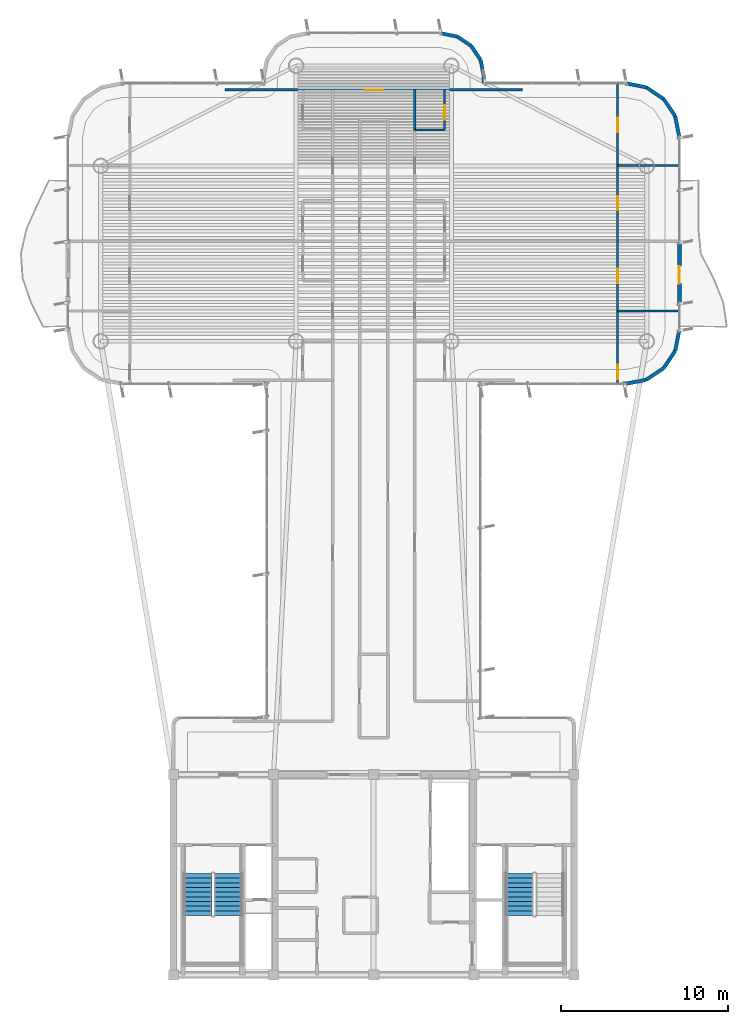
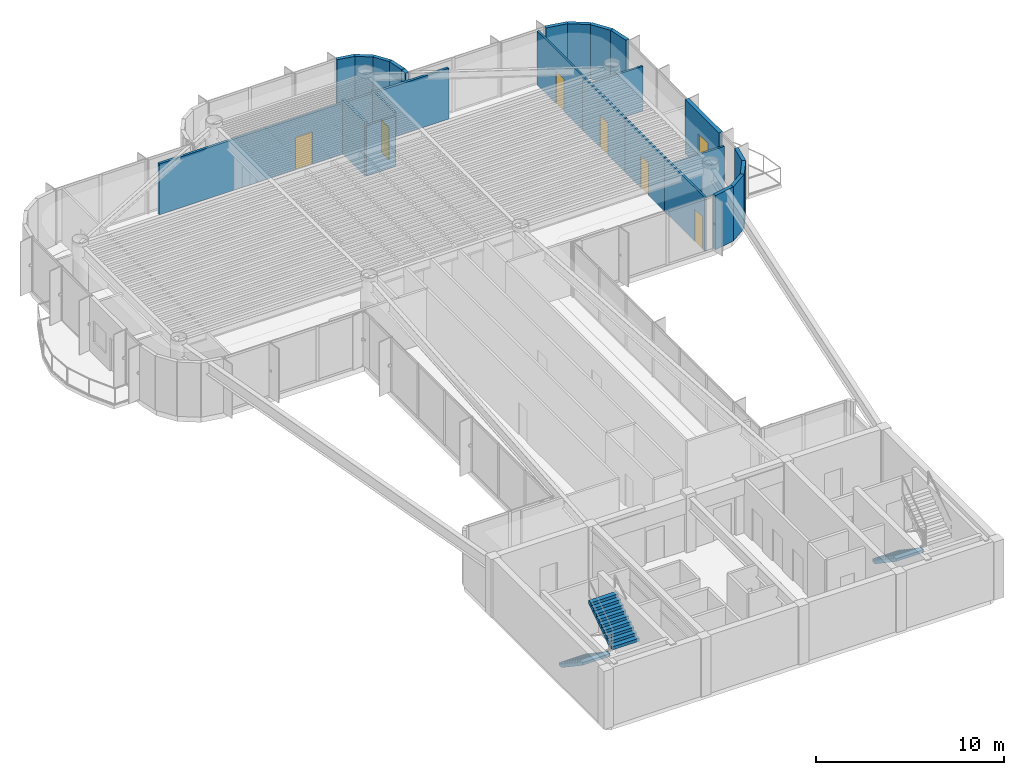
# One storey, part 13 of 16: 24 walls, 7 doors, 3 stair flights, 7 openings, 2 elements without a shape of their own.
"""IFC4 building model written with IfcOpenShell, lengths in metres."""

from ifc_helpers import new_model, si_unit, direction, frame, frame_2d, origin, origin_2d, place, context, subcontext, project, spatial, polyline, rectangle, outline, extrude, source, transform, mapped, material, layer, layer_set, type_object, element, fill, aggregate, save


model = new_model("IFC4")

# Units and contexts
model_context = context("Model", 3, precision=1e-05, world=origin(), true_north=direction((0.0, 1.0)))
body_context = subcontext(model_context, "Body", "Model", "MODEL_VIEW")
ifc_project = project(units=[si_unit("LENGTHUNIT", "METRE"), si_unit("AREAUNIT", "SQUARE_METRE"), si_unit("VOLUMEUNIT", "CUBIC_METRE"), si_unit("PLANEANGLEUNIT", "RADIAN"), si_unit("MASSUNIT", "GRAM", prefix="KILO")], contexts=[model_context])

# Site, building, storey
site_placement = place(None, origin())
site = spatial("IfcSite", under=ifc_project, at=site_placement, CompositionType="ELEMENT")
building_placement = place(site_placement, origin())
building = spatial("IfcBuilding", under=site, at=building_placement, Name="Brelvock Crest Care Tower", CompositionType="ELEMENT")
storey_placement = place(building_placement, frame((0.0, 0.0, 223.02001953125)))
storey = spatial("IfcBuildingStorey", under=building, at=storey_placement, Name="L56", CompositionType="ELEMENT", Elevation=223.02001953125)

# Wall, opening, door
ifc_material_1 = material(Name="Precast concrete N40 (40 MPa)", Category="concrete")
ifc_layer_1 = layer(ifc_material_1, 0.239990234375, Name="WL-EX1")
ifc_layer_set_1 = layer_set([ifc_layer_1], Name="Precast concrete N40 (40 MPa)")
wall_type_1 = type_object("IfcWallType", Name="WL-EX1", PredefinedType="SOLIDWALL", material=ifc_layer_set_1)
wall_1_placement = place(storey_placement, frame((54.300048828125, 49.85009765625, 0.0), z_axis=(0.0, 0.0, 1.0), x_axis=(0.0, -1.0, 0.0)))
wall_1 = element("IfcWall", 1, at=wall_1_placement, inside=storey, type_object=wall_type_1, Name="L56 Exterior Spandrel Wall WL-BAL-L56-E", PredefinedType="SOLIDWALL", context=body_context, shape_type="SweptSolid", body=[
    extrude(rectangle(XDim=3.60009765625, YDim=0.239990234375, at=frame_2d((1.800048828125, 0.0))), origin(), (0.0, 0.0, 1.0), 3.530029296875),
])
opening_1_placement = place(wall_1_placement, frame((1.39990234375, 0.0, 0.0)))
opening_1 = element("IfcOpeningElement", 2, at=opening_1_placement, cuts=wall_1, Name="Opening BD-1", PredefinedType="OPENING", context=body_context, shape_type="SweptSolid", body=[
    extrude(rectangle(XDim=1.050048828125, YDim=2.14990234375, at=origin_2d()), frame((0.52490234375, 0.1298828125, 1.074951171875), z_axis=(0.0, -1.0, 0.0), x_axis=(1.0, 0.0, 0.0)), (0.0, 0.0, 1.0), 0.260009765625),
])
ifc_material_2 = material(Name="Dark Glass Double Glazed Low-E", Category="glass")
door_type_1 = type_object("IfcDoorType", Name="DR-BAL1", OperationType="NOTDEFINED", PredefinedType="DOOR", material=ifc_material_2)
shared_shape_1 = source(origin(), body_context, "Body", "SweptSolid", [
    extrude(rectangle(XDim=1.050048828125, YDim=2.14990234375, at=origin_2d()), frame((0.52490234375, 0.02490234375, 1.074951171875), z_axis=(0.0, -1.0, 0.0), x_axis=(1.0, 0.0, 0.0)), (0.0, 0.0, 1.0), 0.050048828125),
])
door_1_placement = place(opening_1_placement, origin())
door_1 = element("IfcDoor", 3, at=door_1_placement, inside=storey, type_object=door_type_1, Name="L56 E Wave Balcony Glazed Door", OperationType="SINGLE_SWING_RIGHT", OverallHeight=2.14990234375, OverallWidth=1.050048828125, PredefinedType="DOOR", context=body_context, shape_type="MappedRepresentation", body=[
    mapped(shared_shape_1, transform((0.0, 0.0, 0.0), x_axis=(1.0, 0.0, 0.0), y_axis=(0.0, 1.0, 0.0), z_axis=(0.0, 0.0, 1.0), scale=1.0)),
])
fill(opening_1, door_1)

# Walls
ifc_layer_2 = layer(ifc_material_1, 0.215087890625, Name="WL-EX2")
ifc_layer_set_2 = layer_set([ifc_layer_2], Name="Precast concrete N40 (40 MPa)")
wall_type_2 = type_object("IfcWallType", Name="WL-EX2", PredefinedType="SOLIDWALL", material=ifc_layer_set_2)
wall_2_placement = place(storey_placement, frame((40.0, 62.39990234375, 0.0), z_axis=(0.0, 0.0, 1.0), x_axis=(0.980820570666, -0.194912821943, 0.0)))
element("IfcWall", 4, at=wall_2_placement, inside=storey, type_object=wall_type_2, Name="L56 Rounded Corner Wall 29", PredefinedType="SOLIDWALL", context=body_context, shape_type="SweptSolid", body=[
    extrude(rectangle(XDim=1.0146484375, YDim=0.215087890625, at=frame_2d((0.50732421875, 0.0))), origin(), (0.0, 0.0, 1.0), 3.530029296875),
])
wall_3_placement = place(storey_placement, frame((40.9951171875, 62.2021484375, 0.0), z_axis=(0.0, 0.0, 1.0), x_axis=(0.831346067305, -0.555755086685, 0.0)))
element("IfcWall", 5, at=wall_3_placement, inside=storey, type_object=wall_type_2, Name="L56 Rounded Corner Wall 30", PredefinedType="SOLIDWALL", context=body_context, shape_type="SweptSolid", body=[
    extrude(rectangle(XDim=1.014404296875, YDim=0.215087890625, at=frame_2d((0.50732421875, 0.0))), origin(), (0.0, 0.0, 1.0), 3.530029296875),
])
wall_4_placement = place(storey_placement, frame((41.83837890625, 61.638427734375, 0.0), z_axis=(0.0, 0.0, 1.0), x_axis=(0.555643898837, -0.831420385657, 0.0)))
element("IfcWall", 6, at=wall_4_placement, inside=storey, type_object=wall_type_2, Name="L56 Rounded Corner Wall 31", PredefinedType="SOLIDWALL", context=body_context, shape_type="SweptSolid", body=[
    extrude(rectangle(XDim=1.0146484375, YDim=0.215087890625, at=frame_2d((0.50732421875, 0.0))), origin(), (0.0, 0.0, 1.0), 3.530029296875),
])
wall_5_placement = place(storey_placement, frame((42.402099609375, 60.794921875, 0.0), z_axis=(0.0, 0.0, 1.0), x_axis=(0.195190360752, -0.980765376158, 0.0)))
element("IfcWall", 7, at=wall_5_placement, inside=storey, type_object=wall_type_2, Name="L56 Rounded Corner Wall 32", PredefinedType="SOLIDWALL", context=body_context, shape_type="SweptSolid", body=[
    extrude(rectangle(XDim=1.014404296875, YDim=0.215087890625, at=frame_2d((0.50732421875, 0.0))), origin(), (0.0, 0.0, 1.0), 3.530029296875),
])
wall_6_placement = place(storey_placement, frame((42.60009765625, 59.800048828125, 0.0), z_axis=(0.0, 0.0, 1.0), x_axis=(0.0, -1.0, 0.0)))
element("IfcWall", 8, at=wall_6_placement, inside=storey, type_object=wall_type_2, Name="L56 Rounded Corner Wall 33", PredefinedType="SOLIDWALL", context=body_context, shape_type="SweptSolid", body=[
    extrude(rectangle(XDim=0.400146484375, YDim=0.215087890625, at=frame_2d((0.2001953125, 0.0))), origin(), (0.0, 0.0, 1.0), 3.530029296875),
])
for number, where, z_axis, x_axis, name in (
    (9, (51.10009765625, 59.39990234375, 0.0), (0.0, 0.0, 1.0), (0.980813122964, -0.194950295773, 0.0), "L56 Rounded Corner Wall 35"),
    (10, (52.32470703125, 59.156494140625, 0.0), (0.0, 0.0, 1.0), (0.831387912822, -0.555692485475, 0.0), "L56 Rounded Corner Wall 36"),
    (11, (53.36279296875, 58.462646484375, 0.0), (0.0, 0.0, 1.0), (0.555557312883, -0.831478245117, 0.0), "L56 Rounded Corner Wall 37"),
    (12, (54.056396484375, 57.424560546875, 0.0), (0.0, 0.0, 1.0), (0.195138390419, -0.980775717779, 0.0), "L56 Rounded Corner Wall 38"),
    (13, (54.300048828125, 44.60009765625, 0.0), (0.0, 0.0, 1.0), (-0.195138390419, -0.980775717779, 0.0), "L56 Rounded Corner Wall 40"),
    (14, (54.056396484375, 43.37548828125, 0.0), (0.0, 0.0, 1.0), (-0.555557312883, -0.831478245117, 0.0), "L56 Rounded Corner Wall 41"),
    (15, (53.36279296875, 42.33740234375, 0.0), (0.0, 0.0, 1.0), (-0.831387912822, -0.555692485475, 0.0), "L56 Rounded Corner Wall 42"),
    (16, (52.32470703125, 41.6435546875, 0.0), (0.0, 0.0, 1.0), (-0.980775717779, -0.195138390419, 0.0), "L56 Rounded Corner Wall 43"),
):
    element("IfcWall", number, at=place(storey_placement, frame(where, z_axis=z_axis, x_axis=x_axis)), inside=storey, type_object=wall_type_2, Name=name, PredefinedType="SOLIDWALL", context=body_context, shape_type="SweptSolid", body=[
        extrude(rectangle(XDim=1.24853515625, YDim=0.215087890625, at=frame_2d((0.624267578125, 0.0))), origin(), (0.0, 0.0, 1.0), 3.530029296875),
    ])

# Wall, opening, door
ifc_material_3 = material(Name="Masonry Blockwork Acoustic Partition", Category="masonry")
ifc_layer_3 = layer(ifc_material_3, 0.14990234375, Name="WL-INT1")
ifc_layer_set_3 = layer_set([ifc_layer_3], Name="Masonry Blockwork Acoustic Partition")
wall_type_3 = type_object("IfcWallType", Name="WL-INT1", PredefinedType="PARTITIONING", material=ifc_layer_set_3)
wall_7_placement = place(storey_placement, frame((27.10009765625, 59.0, 0.0), z_axis=(0.0, 0.0, 1.0), x_axis=(1.0, 0.0, 0.0)))
wall_7 = element("IfcWall", 17, at=wall_7_placement, inside=storey, type_object=wall_type_3, Name="L56 Interior Wall WL-RM-L56-NHUB", PredefinedType="PARTITIONING", context=body_context, shape_type="SweptSolid", body=[
    extrude(rectangle(XDim=17.7998046875, YDim=0.14990234375, at=frame_2d((8.89990234375, 0.0))), origin(), (0.0, 0.0, 1.0), 3.307861328125),
])
opening_2_placement = place(wall_7_placement, frame((8.375, 0.0, 0.0)))
opening_2 = element("IfcOpeningElement", 18, at=opening_2_placement, cuts=wall_7, Name="Opening CLD-1", PredefinedType="OPENING", context=body_context, shape_type="SweptSolid", body=[
    extrude(rectangle(XDim=1.050048828125, YDim=2.10009765625, at=origin_2d()), frame((0.52490234375, 0.0849609375, 1.050048828125), z_axis=(0.0, -1.0, 0.0), x_axis=(1.0, 0.0, 0.0)), (0.0, 0.0, 1.0), 0.169921875),
])
ifc_material_4 = material(Name="Engineered Hardwood Timber", Category="wood")
door_type_2 = type_object("IfcDoorType", Name="DR-CLN1", OperationType="NOTDEFINED", PredefinedType="DOOR", material=ifc_material_4)
shared_shape_2 = source(origin(), body_context, "Body", "SweptSolid", [
    extrude(rectangle(XDim=1.050048828125, YDim=2.10009765625, at=origin_2d()), frame((0.52490234375, 0.02490234375, 1.050048828125), z_axis=(0.0, -1.0, 0.0), x_axis=(1.0, 0.0, 0.0)), (0.0, 0.0, 1.0), 0.050048828125),
])
door_2_placement = place(opening_2_placement, origin())
door_2 = element("IfcDoor", 19, at=door_2_placement, inside=storey, type_object=door_type_2, Name="L56 North Crest Conservatory Lounge Door NHUB", OperationType="SINGLE_SWING_LEFT", OverallHeight=2.10009765625, OverallWidth=1.050048828125, PredefinedType="DOOR", context=body_context, shape_type="MappedRepresentation", body=[
    mapped(shared_shape_2, transform((0.0, 0.0, 0.0), x_axis=(1.0, 0.0, 0.0), y_axis=(0.0, 1.0, 0.0), z_axis=(0.0, 0.0, 1.0), scale=1.0)),
])
fill(opening_2, door_2)

# Walls
wall_8_placement = place(storey_placement, frame((38.449951171875, 56.60009765625, 0.0), z_axis=(0.0, 0.0, 1.0), x_axis=(0.0, 1.0, 0.0)))
element("IfcWall", 20, at=wall_8_placement, inside=storey, type_object=wall_type_3, Name="L56 Interior Wall WL-UCK-L56-EF2", PredefinedType="PARTITIONING", context=body_context, shape_type="SweptSolid", body=[
    extrude(rectangle(XDim=2.39990234375, YDim=0.14990234375, at=frame_2d((1.199951171875, 0.0))), origin(), (0.0, 0.0, 1.0), 3.5),
])
ifc_material_5 = material(Name="Gypsum Plasterboard Partition", Category="gypsum")
ifc_layer_4 = layer(ifc_material_5, 0.1201171875, Name="WL-INT2")
ifc_layer_set_4 = layer_set([ifc_layer_4], Name="Gypsum Plasterboard Partition")
wall_type_4 = type_object("IfcWallType", Name="WL-INT2", PredefinedType="PARTITIONING", material=ifc_layer_set_4)
wall_9_placement = place(storey_placement, frame((50.610107421875, 45.77587890625, 0.0), z_axis=(0.0, 0.0, 1.0), x_axis=(1.0, 0.0, 0.0)))
element("IfcWall", 21, at=wall_9_placement, inside=storey, type_object=wall_type_4, Name="L56 Interior Wall WL-UBSP-L56-EF1", PredefinedType="PARTITIONING", context=body_context, shape_type="SweptSolid", body=[
    extrude(rectangle(XDim=3.60986328125, YDim=0.1201171875, at=frame_2d((1.804931640625, 0.0))), origin(), (0.0, 0.0, 1.0), 2.98193359375),
])
wall_10_placement = place(storey_placement, frame((50.610107421875, 54.47607421875, 0.0), z_axis=(0.0, 0.0, 1.0), x_axis=(1.0, 0.0, 0.0)))
element("IfcWall", 22, at=wall_10_placement, inside=storey, type_object=wall_type_4, Name="L56 Interior Wall WL-UBSP-L56-EF2", PredefinedType="PARTITIONING", context=body_context, shape_type="SweptSolid", body=[
    extrude(rectangle(XDim=3.60986328125, YDim=0.1201171875, at=frame_2d((1.804931640625, 0.0))), origin(), (0.0, 0.0, 1.0), 2.903076171875),
])
wall_11_placement = place(storey_placement, frame((38.449951171875, 56.60009765625, 0.0), z_axis=(0.0, 0.0, 1.0), x_axis=(1.0, 0.0, 0.0)))
element("IfcWall", 23, at=wall_11_placement, inside=storey, type_object=wall_type_4, Name="L56 Interior Wall WL-UKIT2-L56-EF2", PredefinedType="PARTITIONING", context=body_context, shape_type="SweptSolid", body=[
    extrude(rectangle(XDim=1.800048828125, YDim=0.1201171875, at=frame_2d((0.89990234375, 0.0))), origin(), (0.0, 0.0, 1.0), 3.259033203125),
])

# Wall, opening, door
wall_12_placement = place(storey_placement, frame((40.25, 56.60009765625, 0.0), z_axis=(0.0, 0.0, 1.0), x_axis=(0.0, 1.0, 0.0)))
wall_12 = element("IfcWall", 24, at=wall_12_placement, inside=storey, type_object=wall_type_4, Name="L56 Interior Wall WL-UKIT1-L56-EF2", PredefinedType="PARTITIONING", context=body_context, shape_type="SweptSolid", body=[
    extrude(rectangle(XDim=2.39990234375, YDim=0.1201171875, at=frame_2d((1.199951171875, 0.0))), origin(), (0.0, 0.0, 1.0), 3.5),
])
opening_3_placement = place(wall_12_placement, frame((0.6201171875, 0.0, 0.0)))
opening_3 = element("IfcOpeningElement", 25, at=opening_3_placement, cuts=wall_12, Name="Opening ID-1", PredefinedType="OPENING", context=body_context, shape_type="SweptSolid", body=[
    extrude(rectangle(XDim=0.860107421875, YDim=2.10009765625, at=origin_2d()), frame((0.43017578125, 0.070068359375, 1.050048828125), z_axis=(0.0, -1.0, 0.0), x_axis=(1.0, 0.0, 0.0)), (0.0, 0.0, 1.0), 0.14013671875),
])
door_type_3 = type_object("IfcDoorType", Name="DR-INT1", OperationType="NOTDEFINED", PredefinedType="DOOR", material=ifc_material_4)
shared_shape_3 = source(origin(), body_context, "Body", "SweptSolid", [
    extrude(rectangle(XDim=0.860107421875, YDim=2.10009765625, at=origin_2d()), frame((0.43017578125, 0.02490234375, 1.050048828125), z_axis=(0.0, -1.0, 0.0), x_axis=(1.0, 0.0, 0.0)), (0.0, 0.0, 1.0), 0.050048828125),
])
door_3_placement = place(opening_3_placement, origin())
door_3 = element("IfcDoor", 26, at=door_3_placement, inside=storey, type_object=door_type_3, Name="L56 Kitchen Door EF2", OperationType="SINGLE_SWING_RIGHT", OverallHeight=2.10009765625, OverallWidth=0.860107421875, PredefinedType="DOOR", context=body_context, shape_type="MappedRepresentation", body=[
    mapped(shared_shape_3, transform((0.0, 0.0, 0.0), x_axis=(1.0, 0.0, 0.0), y_axis=(0.0, 1.0, 0.0), z_axis=(0.0, 0.0, 1.0), scale=1.0)),
])
fill(opening_3, door_3)

wall_13_placement = place(storey_placement, frame((50.610107421875, 41.47998046875, 0.0), z_axis=(0.0, 0.0, 1.0), x_axis=(0.0, 1.0, 0.0)))
wall_13 = element("IfcWall", 27, at=wall_13_placement, inside=storey, type_object=wall_type_4, Name="L56 Interior Wall WL-UBD1-L56-EF1", PredefinedType="PARTITIONING", context=body_context, shape_type="SweptSolid", body=[
    extrude(rectangle(XDim=4.2958984375, YDim=0.1201171875, at=frame_2d((2.14794921875, 0.0))), origin(), (0.0, 0.0, 1.0), 3.5),
])
opening_4_placement = place(wall_13_placement, frame((0.197998046875, 0.0, 0.0)))
opening_4 = element("IfcOpeningElement", 28, at=opening_4_placement, cuts=wall_13, Name="Opening ID-1", PredefinedType="OPENING", context=body_context, shape_type="SweptSolid", body=[
    extrude(rectangle(XDim=0.860107421875, YDim=2.10009765625, at=origin_2d()), frame((0.43017578125, 0.070068359375, 1.050048828125), z_axis=(0.0, -1.0, 0.0), x_axis=(1.0, 0.0, 0.0)), (0.0, 0.0, 1.0), 0.14013671875),
])
door_4_placement = place(opening_4_placement, origin())
door_4 = element("IfcDoor", 29, at=door_4_placement, inside=storey, type_object=door_type_3, Name="L56 Primary Bedroom Door EF1", OperationType="SINGLE_SWING_RIGHT", OverallHeight=2.10009765625, OverallWidth=0.860107421875, PredefinedType="DOOR", context=body_context, shape_type="MappedRepresentation", body=[
    mapped(shared_shape_3, transform((0.0, 0.0, 0.0), x_axis=(1.0, 0.0, 0.0), y_axis=(0.0, 1.0, 0.0), z_axis=(0.0, 0.0, 1.0), scale=1.0)),
])
fill(opening_4, door_4)

wall_14_placement = place(storey_placement, frame((50.610107421875, 45.77587890625, 0.0), z_axis=(0.0, 0.0, 1.0), x_axis=(0.0, 1.0, 0.0)))
wall_14 = element("IfcWall", 30, at=wall_14_placement, inside=storey, type_object=wall_type_4, Name="L56 Interior Wall WL-UBD2-L56-EF1", PredefinedType="PARTITIONING", context=body_context, shape_type="SweptSolid", body=[
    extrude(rectangle(XDim=4.176025390625, YDim=0.1201171875, at=frame_2d((2.087890625, 0.0))), origin(), (0.0, 0.0, 1.0), 3.5),
])
opening_5_placement = place(wall_14_placement, frame((1.657958984375, 0.0, 0.0)))
opening_5 = element("IfcOpeningElement", 31, at=opening_5_placement, cuts=wall_14, Name="Opening ID-1", PredefinedType="OPENING", context=body_context, shape_type="SweptSolid", body=[
    extrude(rectangle(XDim=0.860107421875, YDim=2.10009765625, at=origin_2d()), frame((0.43017578125, 0.070068359375, 1.050048828125), z_axis=(0.0, -1.0, 0.0), x_axis=(1.0, 0.0, 0.0)), (0.0, 0.0, 1.0), 0.14013671875),
])
door_5_placement = place(opening_5_placement, origin())
door_5 = element("IfcDoor", 32, at=door_5_placement, inside=storey, type_object=door_type_3, Name="L56 Second Room Door EF1", OperationType="SINGLE_SWING_LEFT", OverallHeight=2.10009765625, OverallWidth=0.860107421875, PredefinedType="DOOR", context=body_context, shape_type="MappedRepresentation", body=[
    mapped(shared_shape_3, transform((0.0, 0.0, 0.0), x_axis=(1.0, 0.0, 0.0), y_axis=(0.0, 1.0, 0.0), z_axis=(0.0, 0.0, 1.0), scale=1.0)),
])
fill(opening_5, door_5)

wall_15_placement = place(storey_placement, frame((50.610107421875, 49.951904296875, 0.0), z_axis=(0.0, 0.0, 1.0), x_axis=(0.0, 1.0, 0.0)))
wall_15 = element("IfcWall", 33, at=wall_15_placement, inside=storey, type_object=wall_type_4, Name="L56 Interior Wall WL-UBD1-L56-EF2", PredefinedType="PARTITIONING", context=body_context, shape_type="SweptSolid", body=[
    extrude(rectangle(XDim=4.524169921875, YDim=0.1201171875, at=frame_2d((2.26220703125, 0.0))), origin(), (0.0, 0.0, 1.0), 3.5),
])
opening_6_placement = place(wall_15_placement, frame((1.83203125, 0.0, 0.0)))
opening_6 = element("IfcOpeningElement", 34, at=opening_6_placement, cuts=wall_15, Name="Opening ID-1", PredefinedType="OPENING", context=body_context, shape_type="SweptSolid", body=[
    extrude(rectangle(XDim=0.860107421875, YDim=2.10009765625, at=origin_2d()), frame((0.43017578125, 0.070068359375, 1.050048828125), z_axis=(0.0, -1.0, 0.0), x_axis=(1.0, 0.0, 0.0)), (0.0, 0.0, 1.0), 0.14013671875),
])
door_6_placement = place(opening_6_placement, origin())
door_6 = element("IfcDoor", 35, at=door_6_placement, inside=storey, type_object=door_type_3, Name="L56 Primary Bedroom Door EF2", OperationType="SINGLE_SWING_RIGHT", OverallHeight=2.10009765625, OverallWidth=0.860107421875, PredefinedType="DOOR", context=body_context, shape_type="MappedRepresentation", body=[
    mapped(shared_shape_3, transform((0.0, 0.0, 0.0), x_axis=(1.0, 0.0, 0.0), y_axis=(0.0, 1.0, 0.0), z_axis=(0.0, 0.0, 1.0), scale=1.0)),
])
fill(opening_6, door_6)

wall_16_placement = place(storey_placement, frame((50.610107421875, 54.47607421875, 0.0), z_axis=(0.0, 0.0, 1.0), x_axis=(0.0, 1.0, 0.0)))
wall_16 = element("IfcWall", 36, at=wall_16_placement, inside=storey, type_object=wall_type_4, Name="L56 Interior Wall WL-UBD2-L56-EF2", PredefinedType="PARTITIONING", context=body_context, shape_type="SweptSolid", body=[
    extrude(rectangle(XDim=4.84423828125, YDim=0.1201171875, at=frame_2d((2.422119140625, 0.0))), origin(), (0.0, 0.0, 1.0), 3.5),
])
opening_7_placement = place(wall_16_placement, frame((1.991943359375, 0.0, 0.0)))
opening_7 = element("IfcOpeningElement", 37, at=opening_7_placement, cuts=wall_16, Name="Opening ID-1", PredefinedType="OPENING", context=body_context, shape_type="SweptSolid", body=[
    extrude(rectangle(XDim=0.860107421875, YDim=2.10009765625, at=origin_2d()), frame((0.43017578125, 0.070068359375, 1.050048828125), z_axis=(0.0, -1.0, 0.0), x_axis=(1.0, 0.0, 0.0)), (0.0, 0.0, 1.0), 0.14013671875),
])
door_7_placement = place(opening_7_placement, origin())
door_7 = element("IfcDoor", 38, at=door_7_placement, inside=storey, type_object=door_type_3, Name="L56 Second Room Door EF2", OperationType="SINGLE_SWING_LEFT", OverallHeight=2.10009765625, OverallWidth=0.860107421875, PredefinedType="DOOR", context=body_context, shape_type="MappedRepresentation", body=[
    mapped(shared_shape_3, transform((0.0, 0.0, 0.0), x_axis=(1.0, 0.0, 0.0), y_axis=(0.0, 1.0, 0.0), z_axis=(0.0, 0.0, 1.0), scale=1.0)),
])
fill(opening_7, door_7)

# Stair, stair flights
ifc_material_6 = material(Name="Concrete N40 (40 MPa)", Category="concrete")
stair_type = type_object("IfcStairType", Name="ST-CORE1", PredefinedType="HALF_TURN_STAIR", material=ifc_material_6)
stair_1_placement = place(storey_placement, origin())
stair_1 = element("IfcStair", 39, at=stair_1_placement, inside=storey, type_object=stair_type, Name="L56 Fire-Isolated Core Stair ST-1", PredefinedType="HALF_TURN_STAIR")
stair_flight_type = type_object("IfcStairFlightType", Name="STF-1", PredefinedType="STRAIGHT", material=ifc_material_6)
stair_flight_1_placement = place(storey_placement, frame((25.469970703125, 12.080078125, 0.0), z_axis=(0.0, 0.0, 1.0), x_axis=(0.0, -1.0, 0.0)))
stair_flight_1 = element("IfcStairFlight", 40, at=stair_flight_1_placement, type_object=stair_flight_type, Name="ST-1 flight 1", NumberOfRisers=10, NumberOfTreads=9, PredefinedType="STRAIGHT", RiserHeight=0.189, TreadLength=0.28, context=body_context, shape_type="SweptSolid", body=[
    extrude(outline(polyline([(-0.00390625, -0.014892578125), (-0.00390625, -0.0078125), (-0.00390625, -0.00048828125), (-0.00390625, 0.0068359375), (-0.00390625, 0.01416015625), (-0.00390625, 0.021484375), (-0.00390625, 0.02880859375), (-0.00390625, 0.035888671875), (-0.00390625, 0.043212890625), (-0.00390625, 0.050537109375), (-0.00390625, 0.057861328125), (-0.00390625, 0.065185546875), (-0.00390625, 0.072509765625), (-0.00390625, 0.07958984375), (-0.00390625, 0.0869140625), (-0.00390625, 0.09423828125), (-0.00390625, 0.1015625), (-0.00390625, 0.10888671875), (-0.00390625, 0.1162109375), (-0.00390625, 0.12353515625), (-0.00390625, 0.130615234375), (-0.00390625, 0.137939453125), (-0.00390625, 0.145263671875), (-0.00390625, 0.152587890625), (-0.00390625, 0.159912109375), (-0.00390625, 0.167236328125), (-0.00390625, 0.17431640625), (-0.00390625, 0.181640625), (-0.00390625, 0.18896484375), (0.0, 0.18896484375), (0.280029296875, 0.18896484375), (0.280029296875, 0.3779296875), (0.56005859375, 0.3779296875), (0.56005859375, 0.56689453125), (0.840087890625, 0.56689453125), (0.840087890625, 0.756103515625), (1.1201171875, 0.756103515625), (1.1201171875, 0.945068359375), (1.39990234375, 0.945068359375), (1.39990234375, 1.134033203125), (1.679931640625, 1.134033203125), (1.679931640625, 1.322998046875), (1.9599609375, 1.322998046875), (1.9599609375, 1.511962890625), (2.239990234375, 1.511962890625), (2.239990234375, 1.700927734375), (2.52001953125, 1.700927734375), (2.52392578125, 1.700927734375), (2.523681640625, 1.70068359375), (2.52392578125, 1.700439453125), (2.523681640625, 1.699951171875), (2.52392578125, 1.69970703125), (2.523681640625, 1.699462890625), (2.52392578125, 1.698974609375), (2.523681640625, 1.69873046875), (2.52392578125, 1.698486328125), (2.523681640625, 1.697998046875), (2.52392578125, 1.69775390625), (2.523681640625, 1.697509765625), (2.52392578125, 1.697021484375), (2.523681640625, 1.69677734375), (2.52392578125, 1.696533203125), (2.523681640625, 1.6962890625), (2.52392578125, 1.69580078125), (2.523681640625, 1.695556640625), (2.52392578125, 1.6953125), (2.523681640625, 1.69482421875), (2.52392578125, 1.694580078125), (2.523681640625, 1.6943359375), (2.52392578125, 1.69384765625), (2.523681640625, 1.693603515625), (2.52392578125, 1.693359375), (2.523681640625, 1.69287109375), (2.52392578125, 1.692626953125), (2.523681640625, 1.6923828125), (2.52392578125, 1.69189453125), (2.52001953125, 1.520263671875), (0.267822265625, 0.0), (0.0, 0.0), (0.0, -0.014892578125), (-0.00390625, -0.014892578125)])), frame((0.0, 0.83984375, 0.0), z_axis=(0.0, -1.0, 0.0), x_axis=(1.0, 0.0, 0.0)), (0.0, 0.0, 1.0), 1.679931640625),
])
stair_flight_2_placement = place(storey_placement, frame((27.27001953125, 9.56005859375, 1.889892578125), z_axis=(0.0, 0.0, 1.0), x_axis=(0.0, 1.0, 0.0)))
stair_flight_2 = element("IfcStairFlight", 41, at=stair_flight_2_placement, type_object=stair_flight_type, Name="ST-1 flight 2", NumberOfRisers=10, NumberOfTreads=9, PredefinedType="STRAIGHT", RiserHeight=0.189, TreadLength=0.28, context=body_context, shape_type="SweptSolid", body=[
    extrude(outline(polyline([(-0.00390625, -0.014892578125), (-0.00390625, -0.0078125), (-0.00390625, -0.00048828125), (-0.00390625, 0.0068359375), (-0.00390625, 0.01416015625), (-0.00390625, 0.021484375), (-0.00390625, 0.02880859375), (-0.00390625, 0.035888671875), (-0.00390625, 0.043212890625), (-0.00390625, 0.050537109375), (-0.00390625, 0.057861328125), (-0.00390625, 0.065185546875), (-0.00390625, 0.072509765625), (-0.00390625, 0.07958984375), (-0.00390625, 0.0869140625), (-0.00390625, 0.09423828125), (-0.00390625, 0.1015625), (-0.00390625, 0.10888671875), (-0.00390625, 0.1162109375), (-0.00390625, 0.12353515625), (-0.00390625, 0.130615234375), (-0.00390625, 0.137939453125), (-0.00390625, 0.145263671875), (-0.00390625, 0.152587890625), (-0.00390625, 0.159912109375), (-0.00390625, 0.167236328125), (-0.00390625, 0.17431640625), (-0.00390625, 0.181640625), (-0.00390625, 0.18896484375), (0.0, 0.18896484375), (0.280029296875, 0.18896484375), (0.280029296875, 0.3779296875), (0.56005859375, 0.3779296875), (0.56005859375, 0.56689453125), (0.840087890625, 0.56689453125), (0.840087890625, 0.756103515625), (1.1201171875, 0.756103515625), (1.1201171875, 0.945068359375), (1.39990234375, 0.945068359375), (1.39990234375, 1.134033203125), (1.679931640625, 1.134033203125), (1.679931640625, 1.322998046875), (1.9599609375, 1.322998046875), (1.9599609375, 1.511962890625), (2.239990234375, 1.511962890625), (2.239990234375, 1.700927734375), (2.52001953125, 1.700927734375), (2.52392578125, 1.700927734375), (2.523681640625, 1.70068359375), (2.52392578125, 1.700439453125), (2.523681640625, 1.699951171875), (2.52392578125, 1.69970703125), (2.523681640625, 1.699462890625), (2.52392578125, 1.698974609375), (2.523681640625, 1.69873046875), (2.52392578125, 1.698486328125), (2.523681640625, 1.697998046875), (2.52392578125, 1.69775390625), (2.523681640625, 1.697509765625), (2.52392578125, 1.697021484375), (2.523681640625, 1.69677734375), (2.52392578125, 1.696533203125), (2.523681640625, 1.6962890625), (2.52392578125, 1.69580078125), (2.523681640625, 1.695556640625), (2.52392578125, 1.6953125), (2.523681640625, 1.69482421875), (2.52392578125, 1.694580078125), (2.523681640625, 1.6943359375), (2.52392578125, 1.69384765625), (2.523681640625, 1.693603515625), (2.52392578125, 1.693359375), (2.523681640625, 1.69287109375), (2.52392578125, 1.692626953125), (2.523681640625, 1.6923828125), (2.52392578125, 1.69189453125), (2.52001953125, 1.520263671875), (0.267822265625, 0.0), (0.0, 0.0), (0.0, -0.014892578125), (-0.00390625, -0.014892578125)])), frame((0.0, 0.83984375, 0.0), z_axis=(0.0, -1.0, 0.0), x_axis=(1.0, 0.0, 0.0)), (0.0, 0.0, 1.0), 1.679931640625),
])
aggregate(stair_1, [stair_flight_1, stair_flight_2])

# Stair, stair flight
stair_2_placement = place(storey_placement, origin())
stair_2 = element("IfcStair", 42, at=stair_2_placement, inside=storey, type_object=stair_type, Name="L56 Fire-Isolated Core Stair ST-2", PredefinedType="HALF_TURN_STAIR")
stair_flight_3_placement = place(storey_placement, frame((44.72998046875, 12.080078125, 0.0), z_axis=(0.0, 0.0, 1.0), x_axis=(0.0, -1.0, 0.0)))
stair_flight_3 = element("IfcStairFlight", 43, at=stair_flight_3_placement, type_object=stair_flight_type, Name="ST-2 flight 1", NumberOfRisers=10, NumberOfTreads=9, PredefinedType="STRAIGHT", RiserHeight=0.189, TreadLength=0.28, context=body_context, shape_type="SweptSolid", body=[
    extrude(outline(polyline([(-0.00390625, -0.014892578125), (-0.00390625, -0.0078125), (-0.00390625, -0.00048828125), (-0.00390625, 0.0068359375), (-0.00390625, 0.01416015625), (-0.00390625, 0.021484375), (-0.00390625, 0.02880859375), (-0.00390625, 0.035888671875), (-0.00390625, 0.043212890625), (-0.00390625, 0.050537109375), (-0.00390625, 0.057861328125), (-0.00390625, 0.065185546875), (-0.00390625, 0.072509765625), (-0.00390625, 0.07958984375), (-0.00390625, 0.0869140625), (-0.00390625, 0.09423828125), (-0.00390625, 0.1015625), (-0.00390625, 0.10888671875), (-0.00390625, 0.1162109375), (-0.00390625, 0.12353515625), (-0.00390625, 0.130615234375), (-0.00390625, 0.137939453125), (-0.00390625, 0.145263671875), (-0.00390625, 0.152587890625), (-0.00390625, 0.159912109375), (-0.00390625, 0.167236328125), (-0.00390625, 0.17431640625), (-0.00390625, 0.181640625), (-0.00390625, 0.18896484375), (0.0, 0.18896484375), (0.280029296875, 0.18896484375), (0.280029296875, 0.3779296875), (0.56005859375, 0.3779296875), (0.56005859375, 0.56689453125), (0.840087890625, 0.56689453125), (0.840087890625, 0.756103515625), (1.1201171875, 0.756103515625), (1.1201171875, 0.945068359375), (1.39990234375, 0.945068359375), (1.39990234375, 1.134033203125), (1.679931640625, 1.134033203125), (1.679931640625, 1.322998046875), (1.9599609375, 1.322998046875), (1.9599609375, 1.511962890625), (2.239990234375, 1.511962890625), (2.239990234375, 1.700927734375), (2.52001953125, 1.700927734375), (2.52392578125, 1.700927734375), (2.523681640625, 1.70068359375), (2.52392578125, 1.700439453125), (2.523681640625, 1.699951171875), (2.52392578125, 1.69970703125), (2.523681640625, 1.699462890625), (2.52392578125, 1.698974609375), (2.523681640625, 1.69873046875), (2.52392578125, 1.698486328125), (2.523681640625, 1.697998046875), (2.52392578125, 1.69775390625), (2.523681640625, 1.697509765625), (2.52392578125, 1.697021484375), (2.523681640625, 1.69677734375), (2.52392578125, 1.696533203125), (2.523681640625, 1.6962890625), (2.52392578125, 1.69580078125), (2.523681640625, 1.695556640625), (2.52392578125, 1.6953125), (2.523681640625, 1.69482421875), (2.52392578125, 1.694580078125), (2.523681640625, 1.6943359375), (2.52392578125, 1.69384765625), (2.523681640625, 1.693603515625), (2.52392578125, 1.693359375), (2.523681640625, 1.69287109375), (2.52392578125, 1.692626953125), (2.523681640625, 1.6923828125), (2.52392578125, 1.69189453125), (2.52001953125, 1.520263671875), (0.267822265625, 0.0), (0.0, 0.0), (0.0, -0.014892578125), (-0.00390625, -0.014892578125)])), frame((0.0, 0.83984375, 0.0), z_axis=(0.0, -1.0, 0.0), x_axis=(1.0, 0.0, 0.0)), (0.0, 0.0, 1.0), 1.679931640625),
])
aggregate(stair_2, [stair_flight_3])

save(model, "model.ifc")
